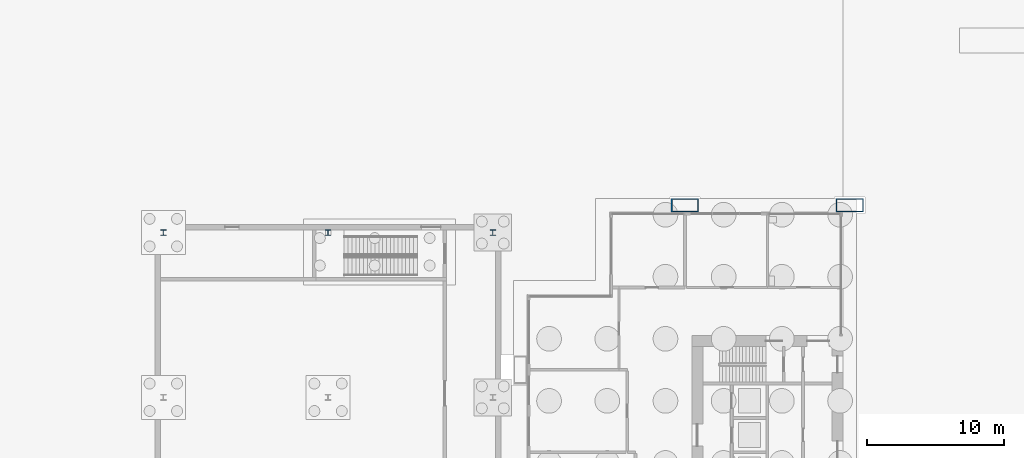
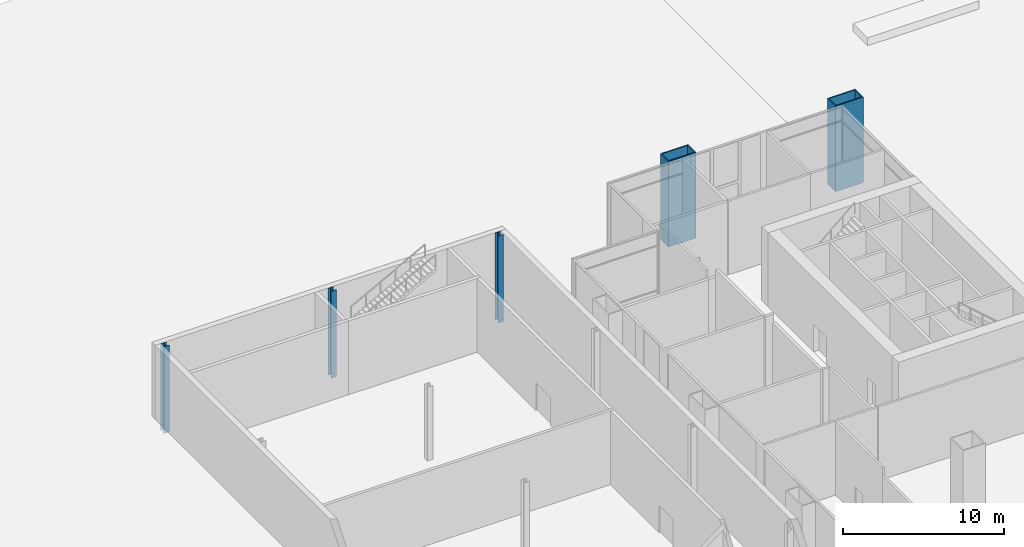
# One storey, part 7 of 29: 5 columns.
"""IFC4 building model written with IfcOpenShell, lengths in metres."""

from ifc_helpers import new_model, si_unit, direction, frame, origin, origin_2d, place, context, subcontext, project, spatial, hollow_rectangle, i_section, extrude, material, material_profile, profile_set, type_object, element, save


model = new_model("IFC4")

# Units and contexts
model_context = context("Model", 3, precision=1e-05, world=origin(), true_north=direction((0.0, 1.0)))
body_context = subcontext(model_context, "Body", "Model", "MODEL_VIEW")
ifc_project = project(units=[si_unit("LENGTHUNIT", "METRE"), si_unit("AREAUNIT", "SQUARE_METRE"), si_unit("VOLUMEUNIT", "CUBIC_METRE"), si_unit("PLANEANGLEUNIT", "RADIAN"), si_unit("MASSUNIT", "GRAM", prefix="KILO")], contexts=[model_context])

# Site, building, storey
site_placement = place(None, origin())
site = spatial("IfcSite", under=ifc_project, at=site_placement, CompositionType="ELEMENT")
building_placement = place(site_placement, origin())
building = spatial("IfcBuilding", under=site, at=building_placement, Name="Kitamizu Gate Tower and Museum", CompositionType="ELEMENT")
storey_placement = place(building_placement, origin())
storey = spatial("IfcBuildingStorey", under=building, at=storey_placement, Name="L00", CompositionType="ELEMENT", Elevation=0.0)

# Columns
ifc_material_1 = material(Name="Steel SS400", Category="steel")
ifc_material_profile_1 = material_profile(ifc_material_1, i_section(OverallWidth=0.39990234375, OverallDepth=0.39990234375, WebThickness=0.012939453125, FlangeThickness=0.02099609375, FilletRadius=0.02197265625, at=origin_2d()), Name="H-400x400x13x21")
ifc_profile_set_1 = profile_set([ifc_material_profile_1], Name="Steel SS400")
column_type_1 = type_object("IfcColumnType", Name="Museum perimeter column H 400x400x13x21 R 90", PredefinedType="COLUMN", material=ifc_profile_set_1)
for number, where, z_axis, x_axis, name in (
    (1, (-26.0, 46.0, -1.0), (0.0, 0.0, 1.0), (1.0, 0.0, 0.0), "Column M1MG"),
    (2, (-14.0, 46.0, -1.0), (0.0, 0.0, 1.0), (1.0, 0.0, 0.0), "Column M2MG"),
    (3, (-2.0, 46.0, -1.0), (0.0, 0.0, 1.0), (1.0, 0.0, 0.0), "Column M3MG"),
):
    element("IfcColumn", number, at=place(storey_placement, frame(where, z_axis=z_axis, x_axis=x_axis)), inside=storey, type_object=column_type_1, Name=name, PredefinedType="COLUMN", context=body_context, shape_type="SweptSolid", body=[
        extrude(i_section(OverallWidth=0.39990234375, OverallDepth=0.39990234375, WebThickness=0.012939453125, FlangeThickness=0.02099609375, FilletRadius=0.02197265625, at=origin_2d()), origin(), (0.0, 0.0, 1.0), 6.60009765625),
    ])
ifc_material_2 = material(Name="Steel SM490A bronze coated", Category="steel")
ifc_material_profile_2 = material_profile(ifc_material_2, hollow_rectangle(XDim=2.0, YDim=1.0, WallThickness=0.080078125, at=origin_2d()), Name="BOX 2000x1000x80")
ifc_profile_set_2 = profile_set([ifc_material_profile_2], Name="Steel SM490A bronze coated")
column_type_2 = type_object("IfcColumnType", Name="Podium leg column LC1 BOX 2000x1000x80", PredefinedType="COLUMN", material=ifc_profile_set_2)
for number, where, z_axis, x_axis, name in (
    (4, (12.0, 48.0, -0.89990234375), (0.0, 0.0, 1.0), (1.0, 0.0, 0.0), "Column LC1 2E L00"),
    (5, (24.0, 48.0, -0.89990234375), (0.0, 0.0, 1.0), (1.0, 0.0, 0.0), "Column LC1 3E L00"),
):
    element("IfcColumn", number, at=place(storey_placement, frame(where, z_axis=z_axis, x_axis=x_axis)), inside=storey, type_object=column_type_2, Name=name, PredefinedType="COLUMN", context=body_context, shape_type="SweptSolid", body=[
        extrude(hollow_rectangle(XDim=2.0, YDim=1.0, WallThickness=0.080078125, at=origin_2d()), origin(), (0.0, 0.0, 1.0), 6.5),
    ])

save(model, "model.ifc")
